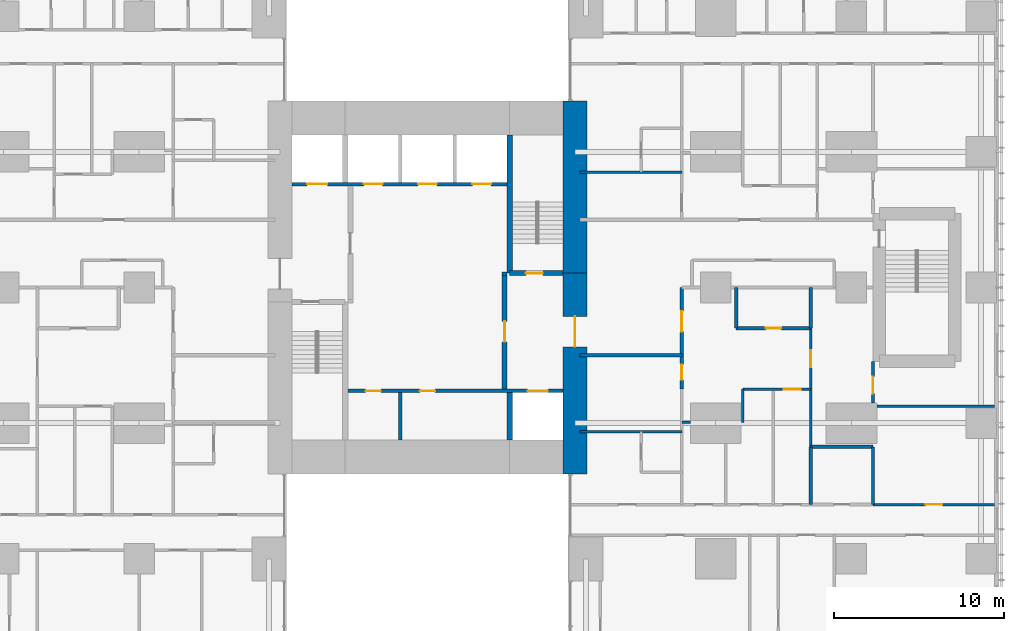
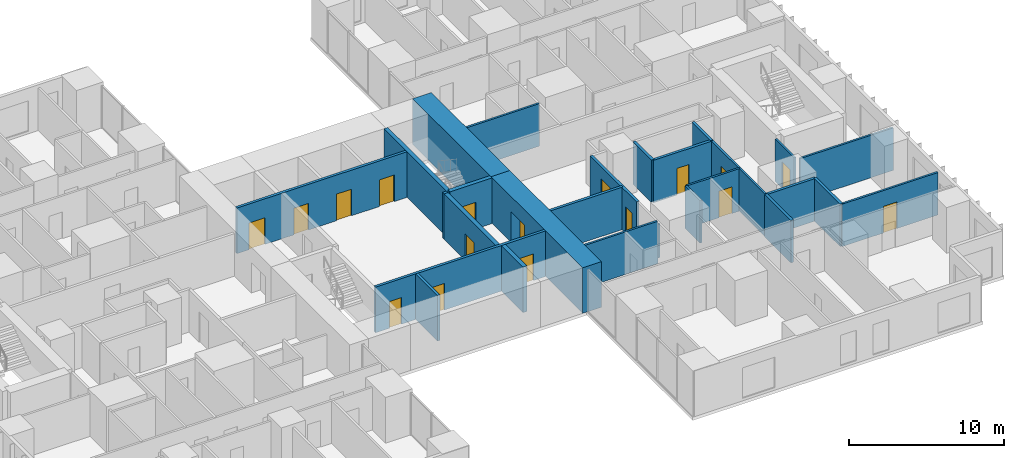
# One storey, part 15 of 20: 27 walls, 17 doors, 17 openings.
"""IFC4 building model written with IfcOpenShell, lengths in metres."""

from ifc_helpers import new_model, si_unit, direction, frame, frame_2d, origin, place, context, subcontext, project, spatial, rectangle, extrude, material, layer, layer_set, type_object, element, fill, save


model = new_model("IFC4")

# Units and contexts
model_context = context("Model", 3, precision=1e-05, world=origin(), true_north=direction((0.0, 1.0)))
body_context = subcontext(model_context, "Body", "Model", "MODEL_VIEW")
ifc_project = project(units=[si_unit("LENGTHUNIT", "METRE"), si_unit("AREAUNIT", "SQUARE_METRE"), si_unit("VOLUMEUNIT", "CUBIC_METRE"), si_unit("PLANEANGLEUNIT", "RADIAN"), si_unit("MASSUNIT", "GRAM", prefix="KILO")], contexts=[model_context])

# Site, building, storey
site_placement = place(None, origin())
site = spatial("IfcSite", under=ifc_project, at=site_placement, CompositionType="ELEMENT")
building_placement = place(site_placement, origin())
building = spatial("IfcBuilding", under=site, at=building_placement, Name="Cleftline Residences", CompositionType="ELEMENT")
storey_placement = place(building_placement, frame((0.0, 0.0, 207.39990234375)))
storey = spatial("IfcBuildingStorey", under=building, at=storey_placement, Name="L54", CompositionType="ELEMENT", Elevation=207.39990234375)

# Wall, opening, door
ifc_material_1 = material(Name="Concrete B70", Category="concrete")
ifc_layer_1 = layer(ifc_material_1, 1.39990234375)
ifc_layer_set_1 = layer_set([ifc_layer_1], Name="CORE WALL 1400")
wall_type_1 = type_object("IfcWallType", Name="CORE WALL 1400", PredefinedType="SHEAR", material=ifc_layer_set_1)
wall_1_placement = place(storey_placement, frame((41.699951171875, 13.0, 0.0), z_axis=(0.0, 0.0, 1.0), x_axis=(0.0, 1.0, 0.0)))
wall_1 = element("IfcWall", 1, at=wall_1_placement, inside=storey, type_object=wall_type_1, Name="Core wall E", PredefinedType="SHEAR", context=body_context, shape_type="SweptSolid", body=[
    extrude(rectangle(XDim=11.85009765625, YDim=1.39990234375, at=frame_2d((5.925048828125, 0.0))), origin(), (0.0, 0.0, 1.0), 3.60009765625),
])
opening_1_placement = place(wall_1_placement, frame((7.5, 0.0, 0.0)))
opening_1 = element("IfcOpeningElement", 2, at=opening_1_placement, cuts=wall_1, Name="Opening D7", PredefinedType="OPENING", context=body_context, shape_type="SweptSolid", body=[
    extrude(rectangle(XDim=1.800048828125, YDim=2.39990234375, at=frame_2d((0.89990234375, 1.199951171875))), frame((0.0, 0.7099609375, 0.0), z_axis=(0.0, -1.0, 0.0), x_axis=(1.0, 0.0, 0.0)), (0.0, 0.0, 1.0), 1.419921875),
])
ifc_material_2 = material(Name="Steel", Category="steel")
door_type_1 = type_object("IfcDoorType", Name="WING DOOR 1800X2400", OperationType="DOUBLE_DOOR_DOUBLE_SWING", PredefinedType="DOOR", material=ifc_material_2)
door_1_placement = place(opening_1_placement, origin())
door_1 = element("IfcDoor", 3, at=door_1_placement, inside=storey, type_object=door_type_1, Name="East wing door", OperationType="DOUBLE_DOOR_DOUBLE_SWING", OverallHeight=2.39990234375, OverallWidth=1.800048828125, PredefinedType="DOOR", context=body_context, shape_type="SweptSolid", body=[
    extrude(rectangle(XDim=1.800048828125, YDim=2.39990234375, at=frame_2d((0.89990234375, 1.199951171875))), frame((0.0, 0.02490234375, 0.0), z_axis=(0.0, -1.0, 0.0), x_axis=(1.0, 0.0, 0.0)), (0.0, 0.0, 1.0), 0.050048828125),
])
fill(opening_1, door_1)

# Walls
wall_2_placement = place(storey_placement, frame((41.699951171875, 24.85009765625, 0.0), z_axis=(0.0, 0.0, 1.0), x_axis=(0.0, 1.0, 0.0)))
element("IfcWall", 4, at=wall_2_placement, inside=storey, type_object=wall_type_1, Name="Core wall E1", PredefinedType="SHEAR", context=body_context, shape_type="SweptSolid", body=[
    extrude(rectangle(XDim=10.14990234375, YDim=1.39990234375, at=frame_2d((5.074951171875, 0.0))), origin(), (0.0, 0.0, 1.0), 3.60009765625),
])
ifc_material_3 = material(Name="Concrete B70", Category="concrete")
ifc_layer_2 = layer(ifc_material_3, 0.300048828125)
ifc_layer_set_2 = layer_set([ifc_layer_2], Name="CORE WALL 300")
wall_type_2 = type_object("IfcWallType", Name="CORE WALL 300", PredefinedType="SHEAR", material=ifc_layer_set_2)
wall_3_placement = place(storey_placement, frame((37.85009765625, 24.85009765625, 0.0), z_axis=(0.0, 0.0, 1.0), x_axis=(0.0, 1.0, 0.0)))
element("IfcWall", 5, at=wall_3_placement, inside=storey, type_object=wall_type_2, Name="Core wall SB-W", PredefinedType="SHEAR", context=body_context, shape_type="SweptSolid", body=[
    extrude(rectangle(XDim=8.14990234375, YDim=0.300048828125, at=frame_2d((4.074951171875, 0.0))), origin(), (0.0, 0.0, 1.0), 3.60009765625),
])

# Wall, opening, door
wall_4_placement = place(storey_placement, frame((37.85009765625, 24.85009765625, 0.0), z_axis=(0.0, 0.0, 1.0), x_axis=(1.0, 0.0, 0.0)))
wall_4 = element("IfcWall", 6, at=wall_4_placement, inside=storey, type_object=wall_type_2, Name="Core wall SB-S", PredefinedType="SHEAR", context=body_context, shape_type="SweptSolid", body=[
    extrude(rectangle(XDim=3.14990234375, YDim=0.300048828125, at=frame_2d((1.574951171875, 0.0))), origin(), (0.0, 0.0, 1.0), 3.60009765625),
])
opening_2_placement = place(wall_4_placement, frame((0.949951171875, 0.0, 0.0)))
opening_2 = element("IfcOpeningElement", 7, at=opening_2_placement, cuts=wall_4, Name="Opening D5", PredefinedType="OPENING", context=body_context, shape_type="SweptSolid", body=[
    extrude(rectangle(XDim=1.0, YDim=2.10009765625, at=frame_2d((0.5, 1.050048828125))), frame((0.0, 0.159912109375, 0.0), z_axis=(0.0, -1.0, 0.0), x_axis=(1.0, 0.0, 0.0)), (0.0, 0.0, 1.0), 0.320068359375),
])
ifc_material_4 = material(Name="Steel", Category="steel")
door_type_2 = type_object("IfcDoorType", Name="STAIR DOOR 1000X2100", OperationType="SINGLE_SWING_LEFT", PredefinedType="DOOR", material=ifc_material_4)
door_2_placement = place(opening_2_placement, origin())
door_2 = element("IfcDoor", 8, at=door_2_placement, inside=storey, type_object=door_type_2, Name="Stair B door", OperationType="SINGLE_SWING_RIGHT", OverallHeight=2.10009765625, OverallWidth=1.0, PredefinedType="DOOR", context=body_context, shape_type="SweptSolid", body=[
    extrude(rectangle(XDim=1.0, YDim=2.10009765625, at=frame_2d((0.5, 1.050048828125))), frame((0.0, 0.02490234375, 0.0), z_axis=(0.0, -1.0, 0.0), x_axis=(1.0, 0.0, 0.0)), (0.0, 0.0, 1.0), 0.050048828125),
])
fill(opening_2, door_2)

# Walls
wall_5_placement = place(storey_placement, frame((37.85009765625, 15.0, 0.0), z_axis=(0.0, 0.0, 1.0), x_axis=(0.0, 1.0, 0.0)))
element("IfcWall", 9, at=wall_5_placement, inside=storey, type_object=wall_type_2, Name="Lift shaft wall", PredefinedType="SHEAR", context=body_context, shape_type="SweptSolid", body=[
    extrude(rectangle(XDim=2.800048828125, YDim=0.300048828125, at=frame_2d((1.39990234375, 0.0))), origin(), (0.0, 0.0, 1.0), 3.60009765625),
])
ifc_material_5 = material(Name="Concrete blockwork, fire rated", Category="masonry")
ifc_layer_3 = layer(ifc_material_5, 0.199951171875)
ifc_layer_set_3 = layer_set([ifc_layer_3], Name="FIRE WALL 200")
wall_type_3 = type_object("IfcWallType", Name="FIRE WALL 200", PredefinedType="PARTITIONING", material=ifc_layer_set_3)
wall_6_placement = place(storey_placement, frame((55.60009765625, 14.60009765625, 0.0), z_axis=(0.0, 0.0, 1.0), x_axis=(1.0, 0.0, 0.0)))
element("IfcWall", 10, at=wall_6_placement, inside=storey, type_object=wall_type_3, Name="Fire separating wall", PredefinedType="PARTITIONING", context=body_context, shape_type="SweptSolid", body=[
    extrude(rectangle(XDim=3.6748046875, YDim=0.199951171875, at=frame_2d((1.83740234375, 0.0))), origin(), (0.0, 0.0, 1.0), 3.35009765625),
])
wall_7_placement = place(storey_placement, frame((42.0, 20.0, 0.0), z_axis=(0.0, 0.0, 1.0), x_axis=(1.0, 0.0, 0.0)))
element("IfcWall", 11, at=wall_7_placement, inside=storey, type_object=wall_type_3, Name="Fire separating wall", PredefinedType="PARTITIONING", context=body_context, shape_type="SweptSolid", body=[
    extrude(rectangle(XDim=6.0, YDim=0.199951171875, at=frame_2d((3.0, 0.0))), origin(), (0.0, 0.0, 1.0), 3.35009765625),
])

# Wall, opening, door
wall_8_placement = place(storey_placement, frame((51.199951171875, 21.60009765625, 0.0), z_axis=(0.0, 0.0, 1.0), x_axis=(1.0, 0.0, 0.0)))
wall_8 = element("IfcWall", 12, at=wall_8_placement, inside=storey, type_object=wall_type_3, Name="Fire separating wall", PredefinedType="PARTITIONING", context=body_context, shape_type="SweptSolid", body=[
    extrude(rectangle(XDim=4.400146484375, YDim=0.199951171875, at=frame_2d((2.2001953125, 0.0))), origin(), (0.0, 0.0, 1.0), 3.35009765625),
])
opening_3_placement = place(wall_8_placement, frame((1.75, 0.0, 0.0)))
opening_3 = element("IfcOpeningElement", 13, at=opening_3_placement, cuts=wall_8, Name="Opening D1F30", PredefinedType="OPENING", context=body_context, shape_type="SweptSolid", body=[
    extrude(rectangle(XDim=0.89990234375, YDim=2.10009765625, at=frame_2d((0.449951171875, 1.050048828125))), frame((0.0, 0.10986328125, 0.0), z_axis=(0.0, -1.0, 0.0), x_axis=(1.0, 0.0, 0.0)), (0.0, 0.0, 1.0), 0.219970703125),
])
ifc_material_6 = material(Name="Timber veneer on solid core", Category="wood")
door_type_3 = type_object("IfcDoorType", Name="DOOR 900X2100 EI 30", OperationType="SINGLE_SWING_LEFT", PredefinedType="DOOR", material=ifc_material_6)
door_3_placement = place(opening_3_placement, origin())
door_3 = element("IfcDoor", 14, at=door_3_placement, inside=storey, type_object=door_type_3, Name="Door to cloakroom wc", OperationType="SINGLE_SWING_LEFT", OverallHeight=2.10009765625, OverallWidth=0.89990234375, PredefinedType="DOOR", context=body_context, shape_type="SweptSolid", body=[
    extrude(rectangle(XDim=0.89990234375, YDim=2.10009765625, at=frame_2d((0.449951171875, 1.050048828125))), frame((0.0, 0.02490234375, 0.0), z_axis=(0.0, -1.0, 0.0), x_axis=(1.0, 0.0, 0.0)), (0.0, 0.0, 1.0), 0.050048828125),
])
fill(opening_3, door_3)

# Wall, openings, doors
wall_9_placement = place(storey_placement, frame((48.0, 18.0, 0.0), z_axis=(0.0, 0.0, 1.0), x_axis=(0.0, 1.0, 0.0)))
wall_9 = element("IfcWall", 15, at=wall_9_placement, inside=storey, type_object=wall_type_3, Name="Fire separating wall", PredefinedType="PARTITIONING", context=body_context, shape_type="SweptSolid", body=[
    extrude(rectangle(XDim=6.0, YDim=0.199951171875, at=frame_2d((3.0, 0.0))), origin(), (0.0, 0.0, 1.0), 3.35009765625),
])
opening_4_placement = place(wall_9_placement, frame((3.39990234375, 0.0, 0.0)))
opening_4 = element("IfcOpeningElement", 16, at=opening_4_placement, cuts=wall_9, Name="Opening D4", PredefinedType="OPENING", context=body_context, shape_type="SweptSolid", body=[
    extrude(rectangle(XDim=1.199951171875, YDim=2.39990234375, at=frame_2d((0.60009765625, 1.199951171875))), frame((0.0, 0.10986328125, 0.0), z_axis=(0.0, -1.0, 0.0), x_axis=(1.0, 0.0, 0.0)), (0.0, 0.0, 1.0), 0.219970703125),
])
opening_5_placement = place(wall_9_placement, frame((0.550048828125, 0.0, 0.0)))
opening_5 = element("IfcOpeningElement", 17, at=opening_5_placement, cuts=wall_9, Name="Opening D1F30", PredefinedType="OPENING", context=body_context, shape_type="SweptSolid", body=[
    extrude(rectangle(XDim=0.89990234375, YDim=2.10009765625, at=frame_2d((0.449951171875, 1.050048828125))), frame((0.0, 0.10986328125, 0.0), z_axis=(0.0, -1.0, 0.0), x_axis=(1.0, 0.0, 0.0)), (0.0, 0.0, 1.0), 0.219970703125),
])
ifc_material_7 = material(Name="Timber veneer on solid core", Category="wood")
door_type_4 = type_object("IfcDoorType", Name="APARTMENT ENTRANCE DOOR 1200X2400", OperationType="SINGLE_SWING_RIGHT", PredefinedType="DOOR", material=ifc_material_7)
door_4_placement = place(opening_4_placement, origin())
door_4 = element("IfcDoor", 18, at=door_4_placement, inside=storey, type_object=door_type_4, Name="Door to residence entrance foyer", OperationType="SINGLE_SWING_LEFT", OverallHeight=2.39990234375, OverallWidth=1.199951171875, PredefinedType="DOOR", context=body_context, shape_type="SweptSolid", body=[
    extrude(rectangle(XDim=1.199951171875, YDim=2.39990234375, at=frame_2d((0.60009765625, 1.199951171875))), frame((0.0, 0.02490234375, 0.0), z_axis=(0.0, -1.0, 0.0), x_axis=(1.0, 0.0, 0.0)), (0.0, 0.0, 1.0), 0.050048828125),
])
fill(opening_4, door_4)
door_5_placement = place(opening_5_placement, origin())
door_5 = element("IfcDoor", 19, at=door_5_placement, inside=storey, type_object=door_type_3, Name="Door to drying loggia", OperationType="SINGLE_SWING_RIGHT", OverallHeight=2.10009765625, OverallWidth=0.89990234375, PredefinedType="DOOR", context=body_context, shape_type="SweptSolid", body=[
    extrude(rectangle(XDim=0.89990234375, YDim=2.10009765625, at=frame_2d((0.449951171875, 1.050048828125))), frame((0.0, 0.02490234375, 0.0), z_axis=(0.0, -1.0, 0.0), x_axis=(1.0, 0.0, 0.0)), (0.0, 0.0, 1.0), 0.050048828125),
])
fill(opening_5, door_5)

# Walls
wall_10_placement = place(storey_placement, frame((51.199951171875, 21.60009765625, 0.0), z_axis=(0.0, 0.0, 1.0), x_axis=(0.0, 1.0, 0.0)))
element("IfcWall", 20, at=wall_10_placement, inside=storey, type_object=wall_type_3, Name="Fire separating wall", PredefinedType="PARTITIONING", context=body_context, shape_type="SweptSolid", body=[
    extrude(rectangle(XDim=2.39990234375, YDim=0.199951171875, at=frame_2d((1.199951171875, 0.0))), origin(), (0.0, 0.0, 1.0), 3.35009765625),
])
wall_11_placement = place(storey_placement, frame((55.60009765625, 11.199951171875, 0.0), z_axis=(0.0, 0.0, 1.0), x_axis=(0.0, 1.0, 0.0)))
element("IfcWall", 21, at=wall_11_placement, inside=storey, type_object=wall_type_3, Name="Fire separating wall", PredefinedType="PARTITIONING", context=body_context, shape_type="SweptSolid", body=[
    extrude(rectangle(XDim=3.400146484375, YDim=0.199951171875, at=frame_2d((1.7001953125, 0.0))), origin(), (0.0, 0.0, 1.0), 3.35009765625),
])
wall_12_placement = place(storey_placement, frame((55.60009765625, 21.60009765625, 0.0), z_axis=(0.0, 0.0, 1.0), x_axis=(0.0, 1.0, 0.0)))
element("IfcWall", 22, at=wall_12_placement, inside=storey, type_object=wall_type_3, Name="Fire separating wall", PredefinedType="PARTITIONING", context=body_context, shape_type="SweptSolid", body=[
    extrude(rectangle(XDim=2.39990234375, YDim=0.199951171875, at=frame_2d((1.199951171875, 0.0))), origin(), (0.0, 0.0, 1.0), 3.35009765625),
])
wall_13_placement = place(storey_placement, frame((59.27490234375, 11.199951171875, 0.0), z_axis=(0.0, 0.0, 1.0), x_axis=(0.0, 1.0, 0.0)))
element("IfcWall", 23, at=wall_13_placement, inside=storey, type_object=wall_type_3, Name="Fire separating wall", PredefinedType="PARTITIONING", context=body_context, shape_type="SweptSolid", body=[
    extrude(rectangle(XDim=3.400146484375, YDim=0.199951171875, at=frame_2d((1.7001953125, 0.0))), origin(), (0.0, 0.0, 1.0), 3.35009765625),
])
wall_14_placement = place(storey_placement, frame((37.39990234375, 24.800048828125, 0.0), z_axis=(0.0, 0.0, 1.0), x_axis=(1.0, 0.0, 0.0)))
element("IfcWall", 24, at=wall_14_placement, inside=storey, type_object=wall_type_3, Name="Fire separating wall", PredefinedType="PARTITIONING", context=body_context, shape_type="SweptSolid", body=[
    extrude(rectangle(XDim=0.300048828125, YDim=0.199951171875, at=frame_2d((0.14990234375, 0.0))), origin(), (0.0, 0.0, 1.0), 3.60009765625),
])

# Wall, opening, door
ifc_material_8 = material(Name="Gypsum board on steel studs", Category="steel")
ifc_layer_4 = layer(ifc_material_8, 0.14990234375)
ifc_layer_set_4 = layer_set([ifc_layer_4], Name="PARTITION 150")
wall_type_4 = type_object("IfcWallType", Name="PARTITION 150", PredefinedType="PARTITIONING", material=ifc_layer_set_4)
wall_15_placement = place(storey_placement, frame((59.27490234375, 11.199951171875, 0.0), z_axis=(0.0, 0.0, 1.0), x_axis=(1.0, 0.0, 0.0)))
wall_15 = element("IfcWall", 25, at=wall_15_placement, inside=storey, type_object=wall_type_4, Name="Partition", PredefinedType="PARTITIONING", context=body_context, shape_type="SweptSolid", body=[
    extrude(rectangle(XDim=7.175048828125, YDim=0.14990234375, at=frame_2d((3.58740234375, 0.0))), origin(), (0.0, 0.0, 1.0), 3.35009765625),
])
opening_6_placement = place(wall_15_placement, frame((3.08740234375, 0.0, 0.0)))
opening_6 = element("IfcOpeningElement", 26, at=opening_6_placement, cuts=wall_15, Name="Opening D2", PredefinedType="OPENING", context=body_context, shape_type="SweptSolid", body=[
    extrude(rectangle(XDim=1.0, YDim=2.10009765625, at=frame_2d((0.5, 1.050048828125))), frame((0.0, 0.0849609375, 0.0), z_axis=(0.0, -1.0, 0.0), x_axis=(1.0, 0.0, 0.0)), (0.0, 0.0, 1.0), 0.169921875),
])
ifc_material_9 = material(Name="Timber veneer on solid core", Category="wood")
door_type_5 = type_object("IfcDoorType", Name="DOOR 1000X2100", OperationType="SINGLE_SWING_LEFT", PredefinedType="DOOR", material=ifc_material_9)
door_6_placement = place(opening_6_placement, origin())
door_6 = element("IfcDoor", 27, at=door_6_placement, inside=storey, type_object=door_type_5, Name="Door to sea-view living room", OperationType="SINGLE_SWING_LEFT", OverallHeight=2.10009765625, OverallWidth=1.0, PredefinedType="DOOR", context=body_context, shape_type="SweptSolid", body=[
    extrude(rectangle(XDim=1.0, YDim=2.10009765625, at=frame_2d((0.5, 1.050048828125))), frame((0.0, 0.02490234375, 0.0), z_axis=(0.0, -1.0, 0.0), x_axis=(1.0, 0.0, 0.0)), (0.0, 0.0, 1.0), 0.050048828125),
])
fill(opening_6, door_6)

# Walls
wall_16_placement = place(storey_placement, frame((42.0, 15.5, 0.0), z_axis=(0.0, 0.0, 1.0), x_axis=(1.0, 0.0, 0.0)))
element("IfcWall", 28, at=wall_16_placement, inside=storey, type_object=wall_type_4, Name="Partition", PredefinedType="PARTITIONING", context=body_context, shape_type="SweptSolid", body=[
    extrude(rectangle(XDim=6.0, YDim=0.14990234375, at=frame_2d((3.0, 0.0))), origin(), (0.0, 0.0, 1.0), 3.35009765625),
])
wall_17_placement = place(storey_placement, frame((48.0, 16.050048828125, 0.0), z_axis=(0.0, 0.0, 1.0), x_axis=(1.0, 0.0, 0.0)))
element("IfcWall", 29, at=wall_17_placement, inside=storey, type_object=wall_type_4, Name="Partition", PredefinedType="PARTITIONING", context=body_context, shape_type="SweptSolid", body=[
    extrude(rectangle(XDim=0.5, YDim=0.14990234375, at=frame_2d((0.25, 0.0))), origin(), (0.0, 0.0, 1.0), 2.634033203125),
])
wall_18_placement = place(storey_placement, frame((59.5, 17.0, 0.0), z_axis=(0.0, 0.0, 1.0), x_axis=(1.0, 0.0, 0.0)))
element("IfcWall", 30, at=wall_18_placement, inside=storey, type_object=wall_type_4, Name="Partition", PredefinedType="PARTITIONING", context=body_context, shape_type="SweptSolid", body=[
    extrude(rectangle(XDim=6.949951171875, YDim=0.14990234375, at=frame_2d((3.47509765625, 0.0))), origin(), (0.0, 0.0, 1.0), 3.35009765625),
])

# Wall, opening, door
wall_19_placement = place(storey_placement, frame((51.60009765625, 18.0, 0.0), z_axis=(0.0, 0.0, 1.0), x_axis=(1.0, 0.0, 0.0)))
wall_19 = element("IfcWall", 31, at=wall_19_placement, inside=storey, type_object=wall_type_4, Name="Partition", PredefinedType="PARTITIONING", context=body_context, shape_type="SweptSolid", body=[
    extrude(rectangle(XDim=4.0, YDim=0.14990234375, at=frame_2d((2.0, 0.0))), origin(), (0.0, 0.0, 1.0), 3.35009765625),
])
opening_7_placement = place(wall_19_placement, frame((2.39990234375, 0.0, 0.0)))
opening_7 = element("IfcOpeningElement", 32, at=opening_7_placement, cuts=wall_19, Name="Opening D2", PredefinedType="OPENING", context=body_context, shape_type="SweptSolid", body=[
    extrude(rectangle(XDim=1.0, YDim=2.10009765625, at=frame_2d((0.5, 1.050048828125))), frame((0.0, 0.0849609375, 0.0), z_axis=(0.0, -1.0, 0.0), x_axis=(1.0, 0.0, 0.0)), (0.0, 0.0, 1.0), 0.169921875),
])
door_7_placement = place(opening_7_placement, origin())
door_7 = element("IfcDoor", 33, at=door_7_placement, inside=storey, type_object=door_type_5, Name="Door to residence passage", OperationType="SINGLE_SWING_LEFT", OverallHeight=2.10009765625, OverallWidth=1.0, PredefinedType="DOOR", context=body_context, shape_type="SweptSolid", body=[
    extrude(rectangle(XDim=1.0, YDim=2.10009765625, at=frame_2d((0.5, 1.050048828125))), frame((0.0, 0.02490234375, 0.0), z_axis=(0.0, -1.0, 0.0), x_axis=(1.0, 0.0, 0.0)), (0.0, 0.0, 1.0), 0.050048828125),
])
fill(opening_7, door_7)

# Walls
wall_20_placement = place(storey_placement, frame((42.0, 30.800048828125, 0.0), z_axis=(0.0, 0.0, 1.0), x_axis=(1.0, 0.0, 0.0)))
element("IfcWall", 34, at=wall_20_placement, inside=storey, type_object=wall_type_4, Name="Partition", PredefinedType="PARTITIONING", context=body_context, shape_type="SweptSolid", body=[
    extrude(rectangle(XDim=6.0, YDim=0.14990234375, at=frame_2d((3.0, 0.0))), origin(), (0.0, 0.0, 1.0), 3.35009765625),
])
wall_21_placement = place(storey_placement, frame((51.60009765625, 16.050048828125, 0.0), z_axis=(0.0, 0.0, 1.0), x_axis=(0.0, 1.0, 0.0)))
element("IfcWall", 35, at=wall_21_placement, inside=storey, type_object=wall_type_4, Name="Partition", PredefinedType="PARTITIONING", context=body_context, shape_type="SweptSolid", body=[
    extrude(rectangle(XDim=1.949951171875, YDim=0.14990234375, at=frame_2d((0.97509765625, 0.0))), origin(), (0.0, 0.0, 1.0), 3.35009765625),
])

# Wall, opening, door
wall_22_placement = place(storey_placement, frame((55.60009765625, 14.60009765625, 0.0), z_axis=(0.0, 0.0, 1.0), x_axis=(0.0, 1.0, 0.0)))
wall_22 = element("IfcWall", 36, at=wall_22_placement, inside=storey, type_object=wall_type_4, Name="Partition", PredefinedType="PARTITIONING", context=body_context, shape_type="SweptSolid", body=[
    extrude(rectangle(XDim=7.0, YDim=0.14990234375, at=frame_2d((3.5, 0.0))), origin(), (0.0, 0.0, 1.0), 3.35009765625),
])
opening_8_placement = place(wall_22_placement, frame((4.699951171875, 0.0, 0.0)))
opening_8 = element("IfcOpeningElement", 37, at=opening_8_placement, cuts=wall_22, Name="Opening D2F30", PredefinedType="OPENING", context=body_context, shape_type="SweptSolid", body=[
    extrude(rectangle(XDim=1.0, YDim=2.10009765625, at=frame_2d((0.5, 1.050048828125))), frame((0.0, 0.0849609375, 0.0), z_axis=(0.0, -1.0, 0.0), x_axis=(1.0, 0.0, 0.0)), (0.0, 0.0, 1.0), 0.169921875),
])
ifc_material_10 = material(Name="Timber veneer on solid core", Category="wood")
door_type_6 = type_object("IfcDoorType", Name="DOOR 1000X2100 EI 30", OperationType="SINGLE_SWING_LEFT", PredefinedType="DOOR", material=ifc_material_10)
door_8_placement = place(opening_8_placement, origin())
door_8 = element("IfcDoor", 38, at=door_8_placement, inside=storey, type_object=door_type_6, Name="Door to residence lobby", OperationType="SINGLE_SWING_LEFT", OverallHeight=2.10009765625, OverallWidth=1.0, PredefinedType="DOOR", context=body_context, shape_type="SweptSolid", body=[
    extrude(rectangle(XDim=1.0, YDim=2.10009765625, at=frame_2d((0.5, 1.050048828125))), frame((0.0, 0.02490234375, 0.0), z_axis=(0.0, -1.0, 0.0), x_axis=(1.0, 0.0, 0.0)), (0.0, 0.0, 1.0), 0.050048828125),
])
fill(opening_8, door_8)

wall_23_placement = place(storey_placement, frame((59.27490234375, 17.199951171875, 0.0), z_axis=(0.0, 0.0, 1.0), x_axis=(0.0, 1.0, 0.0)))
wall_23 = element("IfcWall", 39, at=wall_23_placement, inside=storey, type_object=wall_type_4, Name="Partition", PredefinedType="PARTITIONING", context=body_context, shape_type="SweptSolid", body=[
    extrude(rectangle(XDim=2.449951171875, YDim=0.14990234375, at=frame_2d((1.22509765625, 0.0))), origin(), (0.0, 0.0, 1.0), 3.35009765625),
])
opening_9_placement = place(wall_23_placement, frame((0.53759765625, 0.0, 0.0)))
opening_9 = element("IfcOpeningElement", 40, at=opening_9_placement, cuts=wall_23, Name="Opening D2", PredefinedType="OPENING", context=body_context, shape_type="SweptSolid", body=[
    extrude(rectangle(XDim=1.0, YDim=2.10009765625, at=frame_2d((0.5, 1.050048828125))), frame((0.0, 0.0849609375, 0.0), z_axis=(0.0, -1.0, 0.0), x_axis=(1.0, 0.0, 0.0)), (0.0, 0.0, 1.0), 0.169921875),
])
door_9_placement = place(opening_9_placement, origin())
door_9 = element("IfcDoor", 41, at=door_9_placement, inside=storey, type_object=door_type_5, Name="Door to altar room", OperationType="SINGLE_SWING_RIGHT", OverallHeight=2.10009765625, OverallWidth=1.0, PredefinedType="DOOR", context=body_context, shape_type="SweptSolid", body=[
    extrude(rectangle(XDim=1.0, YDim=2.10009765625, at=frame_2d((0.5, 1.050048828125))), frame((0.0, 0.02490234375, 0.0), z_axis=(0.0, -1.0, 0.0), x_axis=(1.0, 0.0, 0.0)), (0.0, 0.0, 1.0), 0.050048828125),
])
fill(opening_9, door_9)

# Wall, openings, doors
ifc_material_11 = material(Name="Concrete blockwork, fire rated", Category="masonry")
ifc_layer_5 = layer(ifc_material_11, 0.199951171875)
ifc_layer_set_5 = layer_set([ifc_layer_5], Name="SHAFT WALL 200")
wall_type_5 = type_object("IfcWallType", Name="SHAFT WALL 200", PredefinedType="PARTITIONING", material=ifc_layer_set_5)
wall_24_placement = place(storey_placement, frame((28.300048828125, 17.89990234375, 0.0), z_axis=(0.0, 0.0, 1.0), x_axis=(1.0, 0.0, 0.0)))
wall_24 = element("IfcWall", 42, at=wall_24_placement, inside=storey, type_object=wall_type_5, Name="Core room wall", PredefinedType="PARTITIONING", context=body_context, shape_type="SweptSolid", body=[
    extrude(rectangle(XDim=12.699951171875, YDim=0.199951171875, at=frame_2d((6.35009765625, 0.0))), origin(), (0.0, 0.0, 1.0), 3.60009765625),
])
opening_10_placement = place(wall_24_placement, frame((1.050048828125, 0.0, 0.0)))
opening_10 = element("IfcOpeningElement", 43, at=opening_10_placement, cuts=wall_24, Name="Opening D1F30", PredefinedType="OPENING", context=body_context, shape_type="SweptSolid", body=[
    extrude(rectangle(XDim=0.89990234375, YDim=2.10009765625, at=frame_2d((0.449951171875, 1.050048828125))), frame((0.0, 0.10986328125, 0.0), z_axis=(0.0, -1.0, 0.0), x_axis=(1.0, 0.0, 0.0)), (0.0, 0.0, 1.0), 0.219970703125),
])
opening_11_placement = place(wall_24_placement, frame((4.25, 0.0, 0.0)))
opening_11 = element("IfcOpeningElement", 44, at=opening_11_placement, cuts=wall_24, Name="Opening D1F30", PredefinedType="OPENING", context=body_context, shape_type="SweptSolid", body=[
    extrude(rectangle(XDim=0.89990234375, YDim=2.10009765625, at=frame_2d((0.449951171875, 1.050048828125))), frame((0.0, 0.10986328125, 0.0), z_axis=(0.0, -1.0, 0.0), x_axis=(1.0, 0.0, 0.0)), (0.0, 0.0, 1.0), 0.219970703125),
])
opening_12_placement = place(wall_24_placement, frame((10.60009765625, 0.0, 0.0)))
opening_12 = element("IfcOpeningElement", 45, at=opening_12_placement, cuts=wall_24, Name="Opening LD2", PredefinedType="OPENING", context=body_context, shape_type="SweptSolid", body=[
    extrude(rectangle(XDim=1.199951171875, YDim=2.10009765625, at=frame_2d((0.60009765625, 1.050048828125))), frame((0.0, 0.10986328125, 0.0), z_axis=(0.0, -1.0, 0.0), x_axis=(1.0, 0.0, 0.0)), (0.0, 0.0, 1.0), 0.219970703125),
])
door_10_placement = place(opening_10_placement, origin())
door_10 = element("IfcDoor", 46, at=door_10_placement, inside=storey, type_object=door_type_3, Name="Door to maintenance store", OperationType="SINGLE_SWING_RIGHT", OverallHeight=2.10009765625, OverallWidth=0.89990234375, PredefinedType="DOOR", context=body_context, shape_type="SweptSolid", body=[
    extrude(rectangle(XDim=0.89990234375, YDim=2.10009765625, at=frame_2d((0.449951171875, 1.050048828125))), frame((0.0, 0.02490234375, 0.0), z_axis=(0.0, -1.0, 0.0), x_axis=(1.0, 0.0, 0.0)), (0.0, 0.0, 1.0), 0.050048828125),
])
fill(opening_10, door_10)
door_11_placement = place(opening_11_placement, origin())
door_11 = element("IfcDoor", 47, at=door_11_placement, inside=storey, type_object=door_type_3, Name="Door to housekeeping pantry", OperationType="SINGLE_SWING_RIGHT", OverallHeight=2.10009765625, OverallWidth=0.89990234375, PredefinedType="DOOR", context=body_context, shape_type="SweptSolid", body=[
    extrude(rectangle(XDim=0.89990234375, YDim=2.10009765625, at=frame_2d((0.449951171875, 1.050048828125))), frame((0.0, 0.02490234375, 0.0), z_axis=(0.0, -1.0, 0.0), x_axis=(1.0, 0.0, 0.0)), (0.0, 0.0, 1.0), 0.050048828125),
])
fill(opening_11, door_11)
ifc_material_12 = material(Name="Steel", Category="steel")
door_type_7 = type_object("IfcDoorType", Name="FIREFIGHTING LIFT LANDING DOOR 1200X2100", OperationType="SLIDING_TO_LEFT", PredefinedType="DOOR", material=ifc_material_12)
door_12_placement = place(opening_12_placement, origin())
door_12 = element("IfcDoor", 48, at=door_12_placement, inside=storey, type_object=door_type_7, Name="Lift FL2 landing door", OperationType="SLIDING_TO_LEFT", OverallHeight=2.10009765625, OverallWidth=1.199951171875, PredefinedType="DOOR", context=body_context, shape_type="SweptSolid", body=[
    extrude(rectangle(XDim=1.199951171875, YDim=2.10009765625, at=frame_2d((0.60009765625, 1.050048828125))), frame((0.0, 0.02490234375, 0.0), z_axis=(0.0, -1.0, 0.0), x_axis=(1.0, 0.0, 0.0)), (0.0, 0.0, 1.0), 0.050048828125),
])
fill(opening_12, door_12)

wall_25_placement = place(storey_placement, frame((25.0, 30.10009765625, 0.0), z_axis=(0.0, 0.0, 1.0), x_axis=(1.0, 0.0, 0.0)))
wall_25 = element("IfcWall", 49, at=wall_25_placement, inside=storey, type_object=wall_type_5, Name="Lift shaft wall", PredefinedType="PARTITIONING", context=body_context, shape_type="SweptSolid", body=[
    extrude(rectangle(XDim=12.699951171875, YDim=0.199951171875, at=frame_2d((6.35009765625, 0.0))), origin(), (0.0, 0.0, 1.0), 3.60009765625),
])
opening_13_placement = place(wall_25_placement, frame((4.25, 0.0, 0.0)))
opening_13 = element("IfcOpeningElement", 50, at=opening_13_placement, cuts=wall_25, Name="Opening LD1", PredefinedType="OPENING", context=body_context, shape_type="SweptSolid", body=[
    extrude(rectangle(XDim=1.10009765625, YDim=2.10009765625, at=frame_2d((0.550048828125, 1.050048828125))), frame((0.0, 0.10986328125, 0.0), z_axis=(0.0, -1.0, 0.0), x_axis=(1.0, 0.0, 0.0)), (0.0, 0.0, 1.0), 0.219970703125),
])
opening_14_placement = place(wall_25_placement, frame((7.449951171875, 0.0, 0.0)))
opening_14 = element("IfcOpeningElement", 51, at=opening_14_placement, cuts=wall_25, Name="Opening LD1", PredefinedType="OPENING", context=body_context, shape_type="SweptSolid", body=[
    extrude(rectangle(XDim=1.10009765625, YDim=2.10009765625, at=frame_2d((0.550048828125, 1.050048828125))), frame((0.0, 0.10986328125, 0.0), z_axis=(0.0, -1.0, 0.0), x_axis=(1.0, 0.0, 0.0)), (0.0, 0.0, 1.0), 0.219970703125),
])
opening_15_placement = place(wall_25_placement, frame((10.64990234375, 0.0, 0.0)))
opening_15 = element("IfcOpeningElement", 52, at=opening_15_placement, cuts=wall_25, Name="Opening LD1", PredefinedType="OPENING", context=body_context, shape_type="SweptSolid", body=[
    extrude(rectangle(XDim=1.10009765625, YDim=2.10009765625, at=frame_2d((0.550048828125, 1.050048828125))), frame((0.0, 0.10986328125, 0.0), z_axis=(0.0, -1.0, 0.0), x_axis=(1.0, 0.0, 0.0)), (0.0, 0.0, 1.0), 0.219970703125),
])
opening_16_placement = place(wall_25_placement, frame((0.89990234375, 0.0, 0.0)))
opening_16 = element("IfcOpeningElement", 53, at=opening_16_placement, cuts=wall_25, Name="Opening LD2", PredefinedType="OPENING", context=body_context, shape_type="SweptSolid", body=[
    extrude(rectangle(XDim=1.199951171875, YDim=2.10009765625, at=frame_2d((0.60009765625, 1.050048828125))), frame((0.0, 0.10986328125, 0.0), z_axis=(0.0, -1.0, 0.0), x_axis=(1.0, 0.0, 0.0)), (0.0, 0.0, 1.0), 0.219970703125),
])
door_13_placement = place(opening_16_placement, origin())
door_13 = element("IfcDoor", 54, at=door_13_placement, inside=storey, type_object=door_type_7, Name="Lift FL1 landing door", OperationType="SLIDING_TO_LEFT", OverallHeight=2.10009765625, OverallWidth=1.199951171875, PredefinedType="DOOR", context=body_context, shape_type="SweptSolid", body=[
    extrude(rectangle(XDim=1.199951171875, YDim=2.10009765625, at=frame_2d((0.60009765625, 1.050048828125))), frame((0.0, 0.02490234375, 0.0), z_axis=(0.0, -1.0, 0.0), x_axis=(1.0, 0.0, 0.0)), (0.0, 0.0, 1.0), 0.050048828125),
])
fill(opening_16, door_13)
ifc_material_13 = material(Name="Steel", Category="steel")
door_type_8 = type_object("IfcDoorType", Name="LIFT LANDING DOOR 1100X2100", OperationType="SLIDING_TO_LEFT", PredefinedType="DOOR", material=ifc_material_13)
door_14_placement = place(opening_13_placement, origin())
door_14 = element("IfcDoor", 55, at=door_14_placement, inside=storey, type_object=door_type_8, Name="Lift P4 landing door", OperationType="SLIDING_TO_LEFT", OverallHeight=2.10009765625, OverallWidth=1.10009765625, PredefinedType="DOOR", context=body_context, shape_type="SweptSolid", body=[
    extrude(rectangle(XDim=1.10009765625, YDim=2.10009765625, at=frame_2d((0.550048828125, 1.050048828125))), frame((0.0, 0.02490234375, 0.0), z_axis=(0.0, -1.0, 0.0), x_axis=(1.0, 0.0, 0.0)), (0.0, 0.0, 1.0), 0.050048828125),
])
fill(opening_13, door_14)
door_15_placement = place(opening_14_placement, origin())
door_15 = element("IfcDoor", 56, at=door_15_placement, inside=storey, type_object=door_type_8, Name="Lift P5 landing door", OperationType="SLIDING_TO_LEFT", OverallHeight=2.10009765625, OverallWidth=1.10009765625, PredefinedType="DOOR", context=body_context, shape_type="SweptSolid", body=[
    extrude(rectangle(XDim=1.10009765625, YDim=2.10009765625, at=frame_2d((0.550048828125, 1.050048828125))), frame((0.0, 0.02490234375, 0.0), z_axis=(0.0, -1.0, 0.0), x_axis=(1.0, 0.0, 0.0)), (0.0, 0.0, 1.0), 0.050048828125),
])
fill(opening_14, door_15)
door_16_placement = place(opening_15_placement, origin())
door_16 = element("IfcDoor", 57, at=door_16_placement, inside=storey, type_object=door_type_8, Name="Lift P6 landing door", OperationType="SLIDING_TO_LEFT", OverallHeight=2.10009765625, OverallWidth=1.10009765625, PredefinedType="DOOR", context=body_context, shape_type="SweptSolid", body=[
    extrude(rectangle(XDim=1.10009765625, YDim=2.10009765625, at=frame_2d((0.550048828125, 1.050048828125))), frame((0.0, 0.02490234375, 0.0), z_axis=(0.0, -1.0, 0.0), x_axis=(1.0, 0.0, 0.0)), (0.0, 0.0, 1.0), 0.050048828125),
])
fill(opening_15, door_16)

# Wall
wall_26_placement = place(storey_placement, frame((31.39990234375, 15.0, 0.0), z_axis=(0.0, 0.0, 1.0), x_axis=(0.0, 1.0, 0.0)))
element("IfcWall", 58, at=wall_26_placement, inside=storey, type_object=wall_type_5, Name="Core room wall", PredefinedType="PARTITIONING", context=body_context, shape_type="SweptSolid", body=[
    extrude(rectangle(XDim=2.800048828125, YDim=0.199951171875, at=frame_2d((1.39990234375, 0.0))), origin(), (0.0, 0.0, 1.0), 3.60009765625),
])

# Wall, opening, door
ifc_material_14 = material(Name="Concrete blockwork, fire rated", Category="masonry")
ifc_layer_6 = layer(ifc_material_14, 0.300048828125)
ifc_layer_set_6 = layer_set([ifc_layer_6], Name="STAIR LOBBY WALL 300")
wall_type_6 = type_object("IfcWallType", Name="STAIR LOBBY WALL 300", PredefinedType="PARTITIONING", material=ifc_layer_set_6)
wall_27_placement = place(storey_placement, frame((37.550048828125, 18.0, 0.0), z_axis=(0.0, 0.0, 1.0), x_axis=(0.0, 1.0, 0.0)))
wall_27 = element("IfcWall", 59, at=wall_27_placement, inside=storey, type_object=wall_type_6, Name="Stair and lobby wall FB-W", PredefinedType="PARTITIONING", context=body_context, shape_type="SweptSolid", body=[
    extrude(rectangle(XDim=6.699951171875, YDim=0.300048828125, at=frame_2d((3.35009765625, 0.0))), origin(), (0.0, 0.0, 1.0), 3.60009765625),
])
opening_17_placement = place(wall_27_placement, frame((2.800048828125, 0.0, 0.0)))
opening_17 = element("IfcOpeningElement", 60, at=opening_17_placement, cuts=wall_27, Name="Opening D6", PredefinedType="OPENING", context=body_context, shape_type="SweptSolid", body=[
    extrude(rectangle(XDim=1.199951171875, YDim=2.10009765625, at=frame_2d((0.60009765625, 1.050048828125))), frame((0.0, 0.159912109375, 0.0), z_axis=(0.0, -1.0, 0.0), x_axis=(1.0, 0.0, 0.0)), (0.0, 0.0, 1.0), 0.320068359375),
])
ifc_material_15 = material(Name="Steel", Category="steel")
door_type_9 = type_object("IfcDoorType", Name="LOBBY DOOR 1200X2100", OperationType="SINGLE_SWING_RIGHT", PredefinedType="DOOR", material=ifc_material_15)
door_17_placement = place(opening_17_placement, origin())
door_17 = element("IfcDoor", 61, at=door_17_placement, inside=storey, type_object=door_type_9, Name="Firefighting lobby B door", OperationType="SINGLE_SWING_LEFT", OverallHeight=2.10009765625, OverallWidth=1.199951171875, PredefinedType="DOOR", context=body_context, shape_type="SweptSolid", body=[
    extrude(rectangle(XDim=1.199951171875, YDim=2.10009765625, at=frame_2d((0.60009765625, 1.050048828125))), frame((0.0, 0.02490234375, 0.0), z_axis=(0.0, -1.0, 0.0), x_axis=(1.0, 0.0, 0.0)), (0.0, 0.0, 1.0), 0.050048828125),
])
fill(opening_17, door_17)

save(model, "model.ifc")
